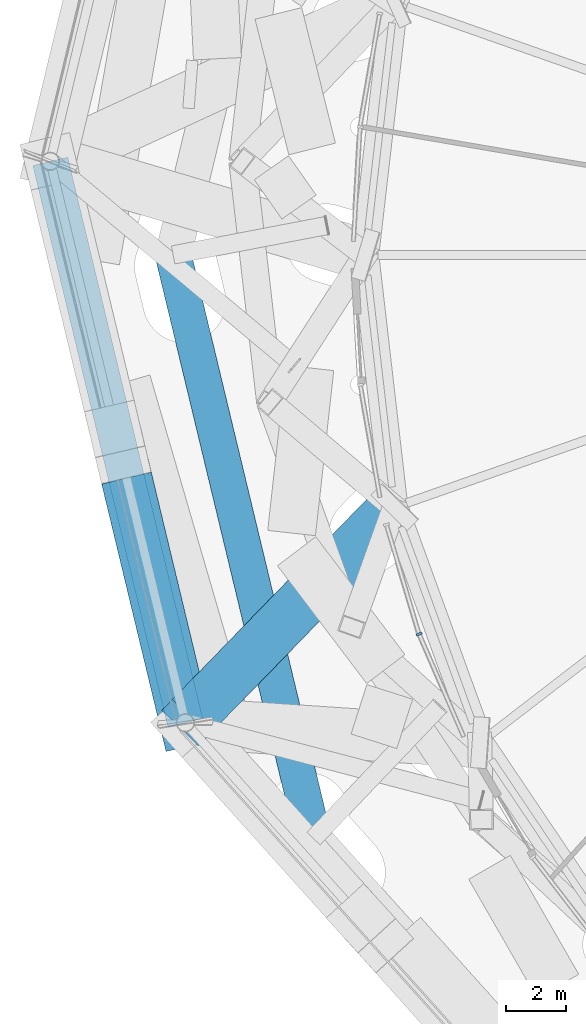
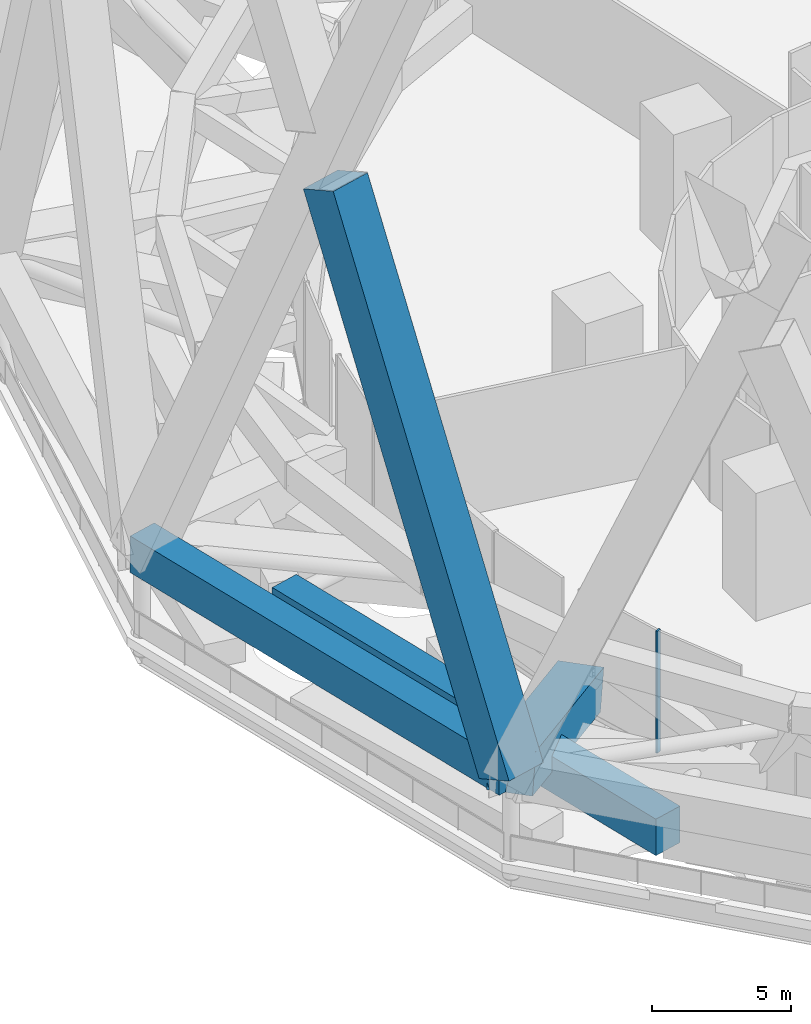
# One storey, part 5 of 51: 5 members, 1 element without a shape of its own.
"""IFC4 building model written with IfcOpenShell, lengths in metres."""

from ifc_helpers import new_model, si_unit, direction, frame, origin, origin_2d, place, context, subcontext, project, spatial, rectangle, extrude, material, layer, layer_set, material_profile, profile_set, type_object, element, aggregate, save


model = new_model("IFC4")

# Units and contexts
model_context = context("Model", 3, precision=1e-05, world=origin(), true_north=direction((0.0, 1.0)))
body_context = subcontext(model_context, "Body", "Model", "MODEL_VIEW")
ifc_project = project(units=[si_unit("LENGTHUNIT", "METRE"), si_unit("AREAUNIT", "SQUARE_METRE"), si_unit("VOLUMEUNIT", "CUBIC_METRE"), si_unit("PLANEANGLEUNIT", "RADIAN"), si_unit("MASSUNIT", "GRAM", prefix="KILO")], contexts=[model_context])

# Site, building, storey
site_placement = place(None, origin())
site = spatial("IfcSite", under=ifc_project, at=site_placement, CompositionType="ELEMENT")
building_placement = place(site_placement, origin())
building = spatial("IfcBuilding", under=site, at=building_placement, Name="Nagisa Residences", CompositionType="ELEMENT")
storey_placement = place(building_placement, frame((0.0, 0.0, 67.699951171875)))
storey = spatial("IfcBuildingStorey", under=building, at=storey_placement, Name="L16", CompositionType="ELEMENT", Elevation=67.699951171875)

# Curtain wall, member
ifc_material_1 = material(Name="Aluminium curtain wall system", Category="aluminium")
ifc_layer = layer(ifc_material_1, 0.159912109375)
ifc_layer_set = layer_set([ifc_layer], Name="CW2 CURTAIN WALL")
curtain_wall_type = type_object("IfcCurtainWallType", Name="CW2 CURTAIN WALL", PredefinedType="NOTDEFINED", material=ifc_layer_set)
curtain_wall_placement = place(storey_placement, origin())
curtain_wall = element("IfcCurtainWall", 1, at=curtain_wall_placement, inside=storey, type_object=curtain_wall_type, Name="cw:CW2:L16:27", PredefinedType="NOTDEFINED")
ifc_material_2 = material(Name="Aluminium", Category="aluminium")
ifc_material_profile_1 = material_profile(ifc_material_2, rectangle(XDim=0.199951171875, YDim=0.080078125, at=origin_2d()), Name="CW2 MULLION 200x80")
ifc_profile_set_1 = profile_set([ifc_material_profile_1], Name="Aluminium")
member_type_1 = type_object("IfcMemberType", Name="CW2 MULLION 200x80", PredefinedType="MULLION", material=ifc_profile_set_1)
member_1_placement = place(storey_placement, frame((-23.103271484375, -12.633544921875, 0.0), z_axis=(0.0, 0.0, 1.0), x_axis=(0.917543276295, 0.397635934147, 0.0)))
member_1 = element("IfcMember", 2, at=member_1_placement, type_object=member_type_1, Name="CW2 mullion", PredefinedType="MULLION", context=body_context, shape_type="SweptSolid", body=[
    extrude(rectangle(XDim=0.199951171875, YDim=0.080078125, at=origin_2d()), origin(), (0.0, 0.0, 1.0), 5.340087890625),
])
aggregate(curtain_wall, [member_1])

# Members
ifc_material_3 = material(Name="Concrete C80", Category="concrete")
ifc_material_profile_2 = material_profile(ifc_material_3, rectangle(XDim=1.699951171875, YDim=1.699951171875, at=origin_2d()), Name="C80 1700x1700")
ifc_profile_set_2 = profile_set([ifc_material_profile_2], Name="Concrete C80")
member_type_2 = type_object("IfcMemberType", Name="Cage bracket 2 C80 1700x1700", PredefinedType="BRACE", material=ifc_profile_set_2)
member_2_placement = place(storey_placement, frame((-30.89404296875, -15.58984375, 3.699951171875), z_axis=(0.6651589036, 0.685513059821, -0.296032899821), x_axis=(-0.717681148123, 0.696371861601, 0.0)))
element("IfcMember", 3, at=member_2_placement, inside=storey, type_object=member_type_2, Name="mem:L16:cg1ob10", PredefinedType="BRACE", context=body_context, shape_type="SweptSolid", body=[
    extrude(rectangle(XDim=1.699951171875, YDim=1.699951171875, at=origin_2d()), origin(), (0.0, 0.0, 1.0), 10.471435546875),
])
ifc_material_4 = material(Name="Concrete C80", Category="concrete")
ifc_material_profile_3 = material_profile(ifc_material_4, rectangle(XDim=1.699951171875, YDim=1.699951171875, at=origin_2d()), Name="C80 1700x1700")
ifc_profile_set_3 = profile_set([ifc_material_profile_3], Name="Concrete C80")
member_type_3 = type_object("IfcMemberType", Name="Cage diagonal 2 C80 1700x1700", PredefinedType="BRACE", material=ifc_profile_set_3)
member_3_placement = place(storey_placement, frame((-30.89404296875, -15.58984375, 3.699951171875), z_axis=(-0.092838857269, 0.385870089861, 0.917869936501), x_axis=(-0.972255617672, -0.233920956533, 0.0)))
element("IfcMember", 4, at=member_3_placement, inside=storey, type_object=member_type_3, Name="mem:L16:cg2d014a", PredefinedType="BRACE", context=body_context, shape_type="SweptSolid", body=[
    extrude(rectangle(XDim=1.699951171875, YDim=1.699951171875, at=origin_2d()), origin(), (0.0, 0.0, 1.0), 23.09423828125),
])
ifc_material_5 = material(Name="Concrete C80", Category="concrete")
ifc_material_profile_4 = material_profile(ifc_material_5, rectangle(XDim=1.199951171875, YDim=1.60009765625, at=origin_2d()), Name="C80 1200x1600")
ifc_profile_set_4 = profile_set([ifc_material_profile_4], Name="Concrete C80")
member_type_4 = type_object("IfcMemberType", Name="Cage ring 1 C80 1200x1600", PredefinedType="CHORD", material=ifc_profile_set_4)
member_4_placement = place(storey_placement, frame((-31.300048828125, 0.0, 1.900146484375), z_axis=(0.233741287483, -0.972298827792, 0.0), x_axis=(0.972298827792, 0.233741287483, 0.0)))
element("IfcMember", 5, at=member_4_placement, inside=storey, type_object=member_type_4, Name="beam:L16:cg1r207", PredefinedType="CHORD", context=body_context, shape_type="SweptSolid", body=[
    extrude(rectangle(XDim=1.199951171875, YDim=1.60009765625, at=origin_2d()), origin(), (0.0, 0.0, 1.0), 20.004150390625),
])
ifc_material_6 = material(Name="Concrete C80", Category="concrete")
ifc_material_profile_5 = material_profile(ifc_material_6, rectangle(XDim=1.199951171875, YDim=1.60009765625, at=origin_2d()), Name="C80 1200x1600")
ifc_profile_set_5 = profile_set([ifc_material_profile_5], Name="Concrete C80")
member_type_5 = type_object("IfcMemberType", Name="Cage ring 2 C80 1200x1600", PredefinedType="CHORD", material=ifc_profile_set_5)
member_5_placement = place(storey_placement, frame((-35.39501953125, 3.11767578125, 3.699951171875), z_axis=(0.233921910771, -0.972255388085, 0.0), x_axis=(0.972255388085, 0.233921910771, 0.0)))
element("IfcMember", 6, at=member_5_placement, inside=storey, type_object=member_type_5, Name="beam:L16:cg2r007", PredefinedType="CHORD", context=body_context, shape_type="SweptSolid", body=[
    extrude(rectangle(XDim=1.199951171875, YDim=1.60009765625, at=origin_2d()), origin(), (0.0, 0.0, 1.0), 19.241455078125),
])

save(model, "model.ifc")
